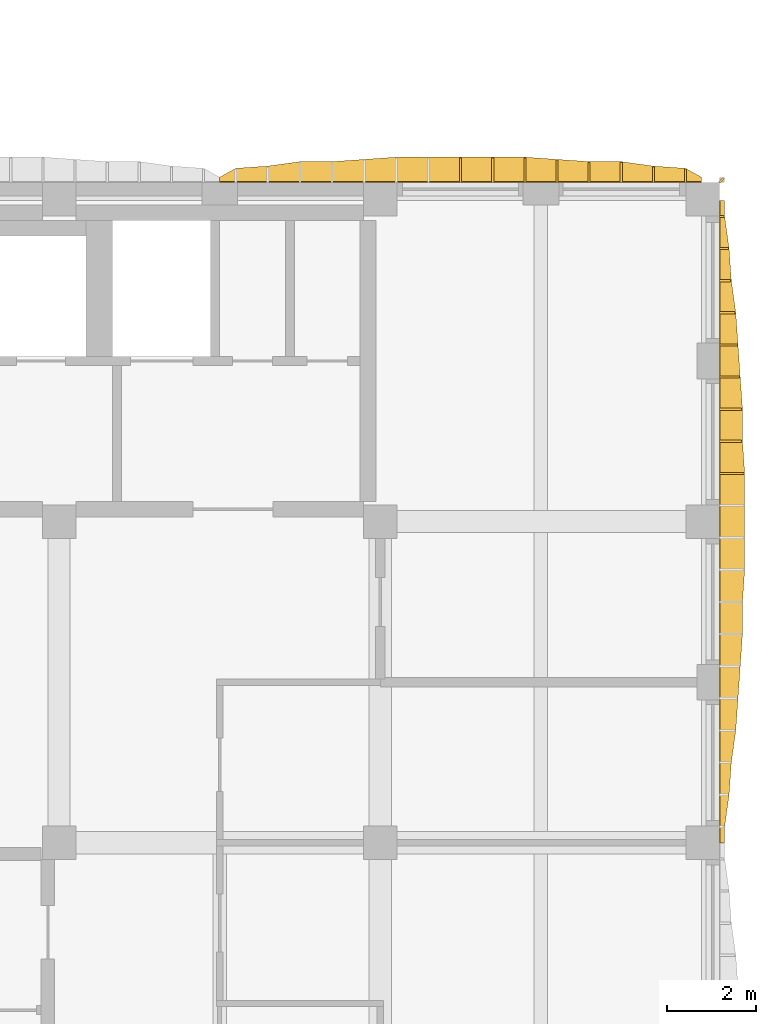
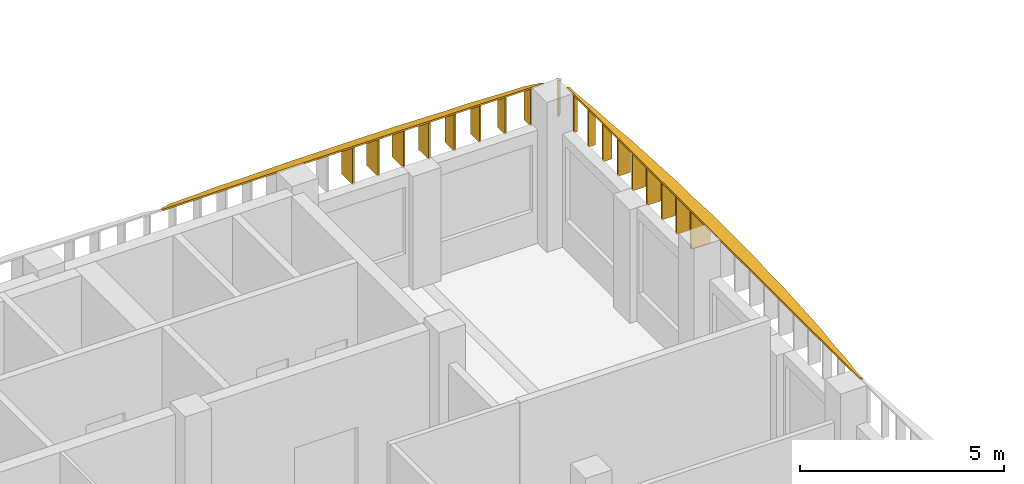
# One storey, part 35 of 54: 20 shading devices.
"""IFC4 building model written with IfcOpenShell, lengths in metres."""

from ifc_helpers import new_model, si_unit, direction, frame, origin, place, context, subcontext, project, spatial, polyline, outline, extrude, material, layer, layer_set, type_object, element, save


model = new_model("IFC4")

# Units and contexts
model_context = context("Model", 3, precision=1e-05, world=origin(), true_north=direction((0.0, 1.0)))
body_context = subcontext(model_context, "Body", "Model", "MODEL_VIEW")
ifc_project = project(units=[si_unit("LENGTHUNIT", "METRE"), si_unit("AREAUNIT", "SQUARE_METRE"), si_unit("VOLUMEUNIT", "CUBIC_METRE"), si_unit("PLANEANGLEUNIT", "RADIAN"), si_unit("MASSUNIT", "GRAM", prefix="KILO")], contexts=[model_context])

# Site, building, storey
site_placement = place(None, origin())
site = spatial("IfcSite", under=ifc_project, at=site_placement, CompositionType="ELEMENT")
building_placement = place(site_placement, origin())
building = spatial("IfcBuilding", under=site, at=building_placement, Name="Ussher Court Research Institute", CompositionType="ELEMENT")
storey_placement = place(building_placement, frame((0.0, 0.0, 14.39990234375)))
storey = spatial("IfcBuildingStorey", under=building, at=storey_placement, Name="L03", CompositionType="ELEMENT", Elevation=14.39990234375)

# Shading devices
ifc_material_1 = material(Name="Bronze anodised aluminium", Category="aluminium")
ifc_layer_1 = layer(ifc_material_1, 0.050048828125)
ifc_layer_set_1 = layer_set([ifc_layer_1], Name="Bronze anodised aluminium")
shading_device_type_1 = type_object("IfcShadingDeviceType", Name="Brim blade 100 mm deep 1100 mm high canted 26 deg wet", PredefinedType="USERDEFINED", material=ifc_layer_set_1)
shading_device_1_placement = place(storey_placement, frame((104.199951171875, 32.43994140625, 3.35009765625), z_axis=(0.0, 0.0, 1.0), x_axis=(1.0, 0.0, 0.0)))
element("IfcShadingDevice", 1, at=shading_device_1_placement, inside=storey, type_object=shading_device_type_1, Name="Brim blade BS10 L03", ObjectType="BLADE", PredefinedType="USERDEFINED", context=body_context, shape_type="SweptSolid", body=[
    extrude(outline(polyline([(0.0, 0.0), (0.10009765625, 0.0), (0.10009765625, 1.05126953125), (0.0, 1.10009765625), (0.0, 0.0)])), frame((0.0, 0.02490234375, 0.0), z_axis=(0.0, -1.0, 0.0), x_axis=(1.0, 0.0, 0.0)), (0.0, 0.0, 1.0), 0.050048828125),
])
ifc_material_2 = material(Name="Bronze anodised aluminium", Category="aluminium")
ifc_layer_2 = layer(ifc_material_2, 0.050048828125)
ifc_layer_set_2 = layer_set([ifc_layer_2], Name="Bronze anodised aluminium")
shading_device_type_2 = type_object("IfcShadingDeviceType", Name="Brim blade 200 mm deep 1100 mm high canted 26 deg wet", PredefinedType="USERDEFINED", material=ifc_layer_set_2)
shading_device_2_placement = place(storey_placement, frame((104.199951171875, 31.719970703125, 3.35009765625), z_axis=(0.0, 0.0, 1.0), x_axis=(1.0, 0.0, 0.0)))
element("IfcShadingDevice", 2, at=shading_device_2_placement, inside=storey, type_object=shading_device_type_2, Name="Brim blade BS08 L03", ObjectType="BLADE", PredefinedType="USERDEFINED", context=body_context, shape_type="SweptSolid", body=[
    extrude(outline(polyline([(0.0, 0.0), (0.199951171875, 0.0), (0.199951171875, 1.00244140625), (0.0, 1.10009765625), (0.0, 0.0)])), frame((0.0, 0.02490234375, 0.0), z_axis=(0.0, -1.0, 0.0), x_axis=(1.0, 0.0, 0.0)), (0.0, 0.0, 1.0), 0.050048828125),
])
ifc_material_3 = material(Name="Bronze anodised aluminium", Category="aluminium")
ifc_layer_3 = layer(ifc_material_3, 0.050048828125)
ifc_layer_set_3 = layer_set([ifc_layer_3], Name="Bronze anodised aluminium")
shading_device_type_3 = type_object("IfcShadingDeviceType", Name="Brim blade 250 mm deep 1100 mm high canted 26 deg wet", PredefinedType="USERDEFINED", material=ifc_layer_set_3)
shading_device_3_placement = place(storey_placement, frame((104.199951171875, 31.0, 3.35009765625), z_axis=(0.0, 0.0, 1.0), x_axis=(1.0, 0.0, 0.0)))
element("IfcShadingDevice", 3, at=shading_device_3_placement, inside=storey, type_object=shading_device_type_3, Name="Brim blade BS07 L03", ObjectType="BLADE", PredefinedType="USERDEFINED", context=body_context, shape_type="SweptSolid", body=[
    extrude(outline(polyline([(0.0, 0.0), (0.25, 0.0), (0.25, 0.97802734375), (0.0, 1.10009765625), (0.0, 0.0)])), frame((0.0, 0.02490234375, 0.0), z_axis=(0.0, -1.0, 0.0), x_axis=(1.0, 0.0, 0.0)), (0.0, 0.0, 1.0), 0.050048828125),
])
ifc_material_4 = material(Name="Bronze anodised aluminium", Category="aluminium")
ifc_layer_4 = layer(ifc_material_4, 0.050048828125)
ifc_layer_set_4 = layer_set([ifc_layer_4], Name="Bronze anodised aluminium")
shading_device_type_4 = type_object("IfcShadingDeviceType", Name="Brim blade 300 mm deep 1100 mm high canted 26 deg wet", PredefinedType="USERDEFINED", material=ifc_layer_set_4)
shading_device_4_placement = place(storey_placement, frame((103.43994140625, 33.199951171875, 3.35009765625), z_axis=(0.0, 0.0, 1.0), x_axis=(0.0, 1.0, 0.0)))
element("IfcShadingDevice", 4, at=shading_device_4_placement, inside=storey, type_object=shading_device_type_4, Name="Brim blade BS06 L03", ObjectType="BLADE", PredefinedType="USERDEFINED", context=body_context, shape_type="SweptSolid", body=[
    extrude(outline(polyline([(0.0, 0.0), (0.300048828125, 0.0), (0.300048828125, 0.95361328125), (0.0, 1.10009765625), (0.0, 0.0)])), frame((0.0, 0.02490234375, 0.0), z_axis=(0.0, -1.0, 0.0), x_axis=(1.0, 0.0, 0.0)), (0.0, 0.0, 1.0), 0.050048828125),
])
ifc_material_5 = material(Name="Bronze anodised aluminium", Category="aluminium")
ifc_layer_5 = layer(ifc_material_5, 0.050048828125)
ifc_layer_set_5 = layer_set([ifc_layer_5], Name="Bronze anodised aluminium")
shading_device_type_5 = type_object("IfcShadingDeviceType", Name="Brim blade 350 mm deep 1100 mm high canted 26 deg wet", PredefinedType="USERDEFINED", material=ifc_layer_set_5)
for number, where, z_axis, x_axis, name in (
    (5, (104.199951171875, 30.280029296875, 3.35009765625), (0.0, 0.0, 1.0), (1.0, 0.0, 0.0), "Brim blade BS05 L03"),
    (6, (102.719970703125, 33.199951171875, 3.35009765625), (0.0, 0.0, 1.0), (0.0, 1.0, 0.0), "Brim blade BS05 L03"),
):
    element("IfcShadingDevice", number, at=place(storey_placement, frame(where, z_axis=z_axis, x_axis=x_axis)), inside=storey, type_object=shading_device_type_5, Name=name, ObjectType="BLADE", PredefinedType="USERDEFINED", context=body_context, shape_type="SweptSolid", body=[
        extrude(outline(polyline([(0.0, 0.0), (0.35009765625, 0.0), (0.35009765625, 0.92919921875), (0.0, 1.10009765625), (0.0, 0.0)])), frame((0.0, 0.02490234375, 0.0), z_axis=(0.0, -1.0, 0.0), x_axis=(1.0, 0.0, 0.0)), (0.0, 0.0, 1.0), 0.050048828125),
    ])
ifc_material_6 = material(Name="Bronze anodised aluminium", Category="aluminium")
ifc_layer_6 = layer(ifc_material_6, 0.050048828125)
ifc_layer_set_6 = layer_set([ifc_layer_6], Name="Bronze anodised aluminium")
shading_device_type_6 = type_object("IfcShadingDeviceType", Name="Brim blade 400 mm deep 1100 mm high canted 26 deg wet", PredefinedType="USERDEFINED", material=ifc_layer_set_6)
shading_device_5_placement = place(storey_placement, frame((104.199951171875, 29.56005859375, 3.35009765625), z_axis=(0.0, 0.0, 1.0), x_axis=(1.0, 0.0, 0.0)))
element("IfcShadingDevice", 7, at=shading_device_5_placement, inside=storey, type_object=shading_device_type_6, Name="Brim blade BS04 L03", ObjectType="BLADE", PredefinedType="USERDEFINED", context=body_context, shape_type="SweptSolid", body=[
    extrude(outline(polyline([(0.0, 0.0), (0.400146484375, 0.0), (0.39990234375, 0.90478515625), (0.0, 1.10009765625), (0.0, 0.0)])), frame((0.0, 0.02490234375, 0.0), z_axis=(0.0, -1.0, 0.0), x_axis=(1.0, 0.0, 0.0)), (0.0, 0.0, 1.0), 0.050048828125),
])
ifc_material_7 = material(Name="Bronze anodised aluminium", Category="aluminium")
ifc_layer_7 = layer(ifc_material_7, 0.050048828125)
ifc_layer_set_7 = layer_set([ifc_layer_7], Name="Bronze anodised aluminium")
shading_device_type_7 = type_object("IfcShadingDeviceType", Name="Brim blade 450 mm deep 1100 mm high canted 26 deg wet", PredefinedType="USERDEFINED", material=ifc_layer_set_7)
for number, where, z_axis, x_axis, name in (
    (8, (104.199951171875, 28.840087890625, 3.35009765625), (0.0, 0.0, 1.0), (1.0, 0.0, 0.0), "Brim blade BS03 L03"),
    (9, (101.280029296875, 33.199951171875, 3.35009765625), (0.0, 0.0, 1.0), (0.0, 1.0, 0.0), "Brim blade BS03 L03"),
    (10, (102.0, 33.199951171875, 3.35009765625), (0.0, 0.0, 1.0), (0.0, 1.0, 0.0), "Brim blade BS03 L03"),
):
    element("IfcShadingDevice", number, at=place(storey_placement, frame(where, z_axis=z_axis, x_axis=x_axis)), inside=storey, type_object=shading_device_type_7, Name=name, ObjectType="BLADE", PredefinedType="USERDEFINED", context=body_context, shape_type="SweptSolid", body=[
        extrude(outline(polyline([(0.0, 0.0), (0.449951171875, 0.0), (0.449951171875, 0.880615234375), (0.0, 1.10009765625), (0.0, 0.0)])), frame((0.0, 0.02490234375, 0.0), z_axis=(0.0, -1.0, 0.0), x_axis=(1.0, 0.0, 0.0)), (0.0, 0.0, 1.0), 0.050048828125),
    ])
ifc_material_8 = material(Name="Bronze anodised aluminium", Category="aluminium")
ifc_layer_8 = layer(ifc_material_8, 0.050048828125)
ifc_layer_set_8 = layer_set([ifc_layer_8], Name="Bronze anodised aluminium")
shading_device_type_8 = type_object("IfcShadingDeviceType", Name="Brim blade 500 mm deep 1100 mm high canted 26 deg wet", PredefinedType="USERDEFINED", material=ifc_layer_set_8)
for number, where, z_axis, x_axis, name in (
    (11, (104.199951171875, 28.1201171875, 3.35009765625), (0.0, 0.0, 1.0), (1.0, 0.0, 0.0), "Brim blade BS02 L03"),
    (12, (104.199951171875, 27.39990234375, 3.35009765625), (0.0, 0.0, 1.0), (1.0, 0.0, 0.0), "Brim blade BS02 L03"),
    (13, (100.56005859375, 33.199951171875, 3.35009765625), (0.0, 0.0, 1.0), (0.0, 1.0, 0.0), "Brim blade BS02 L03"),
):
    element("IfcShadingDevice", number, at=place(storey_placement, frame(where, z_axis=z_axis, x_axis=x_axis)), inside=storey, type_object=shading_device_type_8, Name=name, ObjectType="BLADE", PredefinedType="USERDEFINED", context=body_context, shape_type="SweptSolid", body=[
        extrude(outline(polyline([(0.0, 0.0), (0.5, 0.0), (0.5, 0.856201171875), (0.0, 1.10009765625), (0.0, 0.0)])), frame((0.0, 0.02490234375, 0.0), z_axis=(0.0, -1.0, 0.0), x_axis=(1.0, 0.0, 0.0)), (0.0, 0.0, 1.0), 0.050048828125),
    ])
ifc_material_9 = material(Name="Bronze anodised aluminium", Category="aluminium")
ifc_layer_9 = layer(ifc_material_9, 0.050048828125)
ifc_layer_set_9 = layer_set([ifc_layer_9], Name="Bronze anodised aluminium")
shading_device_type_9 = type_object("IfcShadingDeviceType", Name="Brim blade 550 mm deep 1100 mm high canted 26 deg wet", PredefinedType="USERDEFINED", material=ifc_layer_set_9)
for number, where, z_axis, x_axis, name in (
    (14, (104.199951171875, 26.679931640625, 3.35009765625), (0.0, 0.0, 1.0), (1.0, 0.0, 0.0), "Brim blade BS01 L03"),
    (15, (98.39990234375, 33.199951171875, 3.35009765625), (0.0, 0.0, 1.0), (0.0, 1.0, 0.0), "Brim blade BS01 L03"),
    (16, (99.1201171875, 33.199951171875, 3.35009765625), (0.0, 0.0, 1.0), (0.0, 1.0, 0.0), "Brim blade BS01 L03"),
    (17, (99.840087890625, 33.199951171875, 3.35009765625), (0.0, 0.0, 1.0), (0.0, 1.0, 0.0), "Brim blade BS01 L03"),
):
    element("IfcShadingDevice", number, at=place(storey_placement, frame(where, z_axis=z_axis, x_axis=x_axis)), inside=storey, type_object=shading_device_type_9, Name=name, ObjectType="BLADE", PredefinedType="USERDEFINED", context=body_context, shape_type="SweptSolid", body=[
        extrude(outline(polyline([(0.0, 0.0), (0.550048828125, 0.0), (0.550048828125, 0.831787109375), (0.0, 1.10009765625), (0.0, 0.0)])), frame((0.0, 0.02490234375, 0.0), z_axis=(0.0, -1.0, 0.0), x_axis=(1.0, 0.0, 0.0)), (0.0, 0.0, 1.0), 0.050048828125),
    ])
ifc_material_10 = material(Name="Bronze anodised aluminium", Category="aluminium")
ifc_layer_10 = layer(ifc_material_10, 0.050048828125)
ifc_layer_set_10 = layer_set([ifc_layer_10], Name="Bronze anodised aluminium")
shading_device_type_10 = type_object("IfcShadingDeviceType", Name="Brim mitre blade 100 mm deep 1100 mm high canted 26 deg wet", PredefinedType="USERDEFINED", material=ifc_layer_set_10)
shading_device_6_placement = place(storey_placement, frame((104.199951171875, 33.199951171875, 3.35009765625), z_axis=(0.0, 0.0, 1.0), x_axis=(0.707106781187, 0.707106781187, 0.0)))
element("IfcShadingDevice", 18, at=shading_device_6_placement, inside=storey, type_object=shading_device_type_10, Name="Brim mitre blade BS18 L03", ObjectType="BLADE", PredefinedType="USERDEFINED", context=body_context, shape_type="SweptSolid", body=[
    extrude(outline(polyline([(0.0, 0.0), (0.1416015625, 0.0), (0.141357421875, 1.00244140625), (0.0, 1.10009765625), (0.0, 0.0)])), frame((0.0, 0.02490234375, 0.0), z_axis=(0.0, -1.0, 0.0), x_axis=(1.0, 0.0, 0.0)), (0.0, 0.0, 1.0), 0.050048828125),
])
ifc_material_11 = material(Name="Bronze anodised aluminium", Category="aluminium")
ifc_layer_11 = layer(ifc_material_11, 0.0400390625)
ifc_layer_set_11 = layer_set([ifc_layer_11], Name="Bronze anodised aluminium")
shading_device_type_11 = type_object("IfcShadingDeviceType", Name="Brim visor sheet 40 mm canted 26 deg wet", PredefinedType="USERDEFINED", material=ifc_layer_set_11)
shading_device_7_placement = place(storey_placement, frame((104.217529296875, 32.800048828125, 4.486083984375), z_axis=(0.438529184396, 0.0, 0.898716949007), x_axis=(0.0, -1.0, 0.0)))
element("IfcShadingDevice", 19, at=shading_device_7_placement, inside=storey, type_object=shading_device_type_11, Name="Brim visor sheet BR1 L03", ObjectType="BRIM", PredefinedType="USERDEFINED", context=body_context, shape_type="SweptSolid", body=[
    extrude(outline(polyline([(0.0, 0.0), (14.400146484375, 0.0), (14.400146484375, 0.11115260474198813), (14.0400390625, 0.11115260474198813), (13.320068359375, 0.22252462280160495), (12.60009765625, 0.27821063183141337), (11.880126953125, 0.3893632365734015), (11.16015625, 0.4449421828140506), (10.43994140625, 0.5006281918438591), (9.719970703125, 0.5563142008736675), (9.0, 0.5563142008736675), (8.280029296875, 0.6120002099034759), (7.56005859375, 0.6120002099034759), (6.840087890625, 0.6120002099034759), (6.1201171875, 0.6120002099034759), (5.400146484375, 0.5563142008736675), (4.679931640625, 0.5563142008736675), (3.9599609375, 0.5006281918438591), (3.239990234375, 0.4449421828140506), (2.52001953125, 0.3893632365734015), (1.800048828125, 0.27821063183141337), (1.080078125, 0.22252462280160495), (0.360107421875, 0.11115260474198813), (0.0, 0.11115260474198813), (0.0, 0.0)])), origin(), (0.0, 0.0, -1.0), 0.0400390625),
])
shading_device_8_placement = place(storey_placement, frame((93.0, 33.217529296875, 4.486083984375), z_axis=(0.0, 0.438493442835, 0.898734388232), x_axis=(1.0, 0.0, 0.0)))
element("IfcShadingDevice", 20, at=shading_device_8_placement, inside=storey, type_object=shading_device_type_11, Name="Brim visor sheet BR1 L03", ObjectType="BRIM", PredefinedType="USERDEFINED", context=body_context, shape_type="SweptSolid", body=[
    extrude(outline(polyline([(0.0, 0.0), (10.800048828125, 0.0), (10.800048828125, 0.11115260091647443), (10.43994140625, 0.3338966378999272), (9.719970703125, 0.3893632295705384), (9.0, 0.5006281939990725), (8.280029296875, 0.5006281939990725), (7.56005859375, 0.5563142032449357), (6.840087890625, 0.612000212490799), (6.1201171875, 0.612000212490799), (5.39990234375, 0.612000212490799), (4.679931640625, 0.612000212490799), (3.9599609375, 0.612000212490799), (3.239990234375, 0.5563142032449357), (2.52001953125, 0.5006281939990725), (1.800048828125, 0.5006281939990725), (1.080078125, 0.3893632295705384), (0.360107421875, 0.3338966378999272), (0.0, 0.11115260091647443), (0.0, 0.0)])), origin(), (0.0, 0.0, -1.0), 0.0400390625),
])

save(model, "model.ifc")
